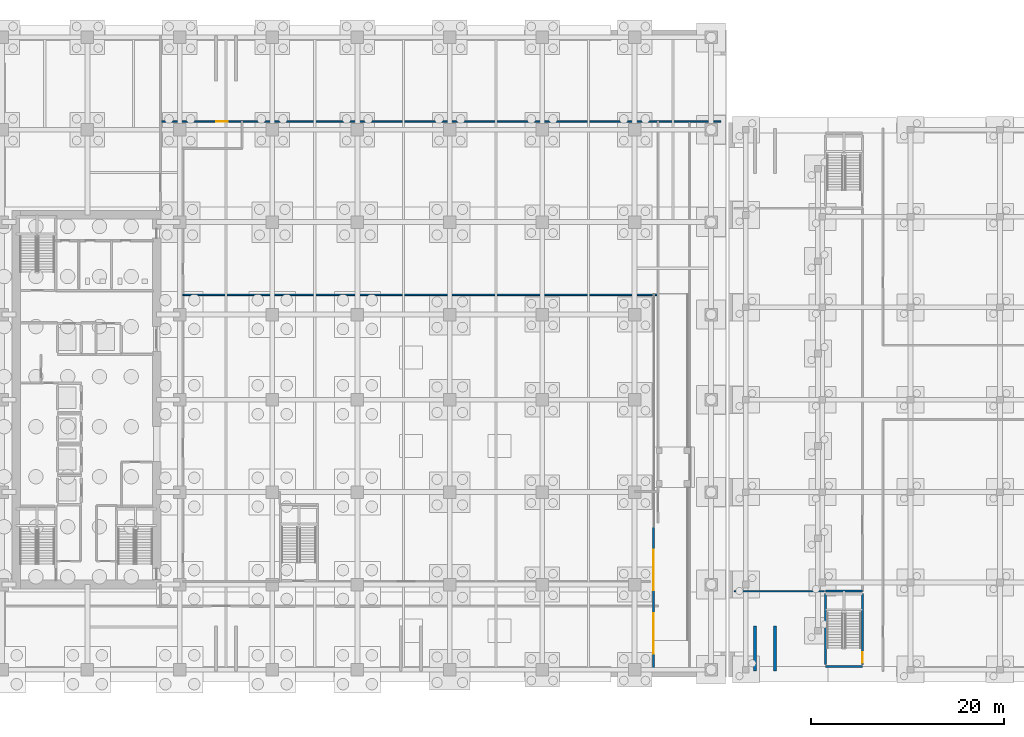
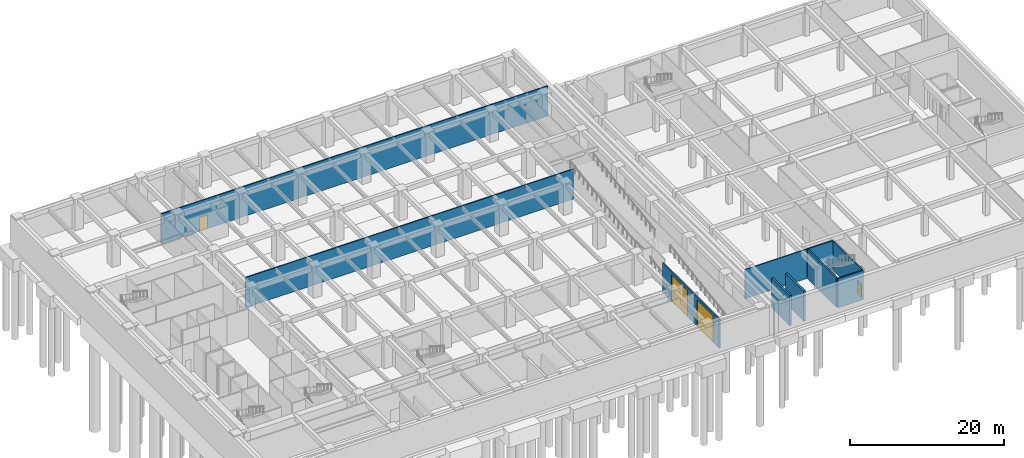
# One storey, part 12 of 20: 10 walls, 4 doors, 4 openings.
"""IFC4 building model written with IfcOpenShell, lengths in metres."""

from ifc_helpers import new_model, si_unit, direction, frame, frame_2d, origin, place, context, subcontext, project, spatial, rectangle, extrude, material, layer, layer_set, type_object, element, fill, save


model = new_model("IFC4")

# Units and contexts
model_context = context("Model", 3, precision=1e-05, world=origin(), true_north=direction((0.0, 1.0)))
body_context = subcontext(model_context, "Body", "Model", "MODEL_VIEW")
ifc_project = project(units=[si_unit("LENGTHUNIT", "METRE"), si_unit("AREAUNIT", "SQUARE_METRE"), si_unit("VOLUMEUNIT", "CUBIC_METRE"), si_unit("PLANEANGLEUNIT", "RADIAN"), si_unit("MASSUNIT", "GRAM", prefix="KILO")], contexts=[model_context])

# Site, building, storey
site_placement = place(None, origin())
site = spatial("IfcSite", under=ifc_project, at=site_placement, CompositionType="ELEMENT")
building_placement = place(site_placement, origin())
building = spatial("IfcBuilding", under=site, at=building_placement, Name="Norrvale University Quadrangle", CompositionType="ELEMENT")
storey_placement = place(building_placement, frame((0.0, 0.0, -5.0)))
storey = spatial("IfcBuildingStorey", under=building, at=storey_placement, Name="B01", CompositionType="ELEMENT", Elevation=-5.0)

# Walls
ifc_material_1 = material(Name="Standard Academic Gypsum Partition")
ifc_layer_1 = layer(ifc_material_1, 0.125, Name="Standard Academic Gypsum Partition")
ifc_layer_set_1 = layer_set([ifc_layer_1], Name="Standard Academic Gypsum Partition")
wall_type_1 = type_object("IfcWallType", Name="Wall Gypsum Academic 125", PredefinedType="PARTITIONING", material=ifc_layer_set_1)
wall_1_placement = place(storey_placement, frame((76.804931640625, 8.89990234375, 0.0), z_axis=(0.0, 0.0, 1.0), x_axis=(1.0, 0.0, 0.0)))
element("IfcWall", 1, at=wall_1_placement, inside=storey, type_object=wall_type_1, Name="Interior Partition WL-B01-LMW-S", PredefinedType="PARTITIONING", context=body_context, shape_type="SweptSolid", body=[
    extrude(rectangle(XDim=9.3701171875, YDim=0.125, at=frame_2d((4.68505859375, 0.0))), origin(), (0.0, 0.0, 1.0), 4.64990234375),
])
ifc_material_2 = material(Name="Fire-Rated Gypsum Stud Partition")
ifc_layer_2 = layer(ifc_material_2, 0.14990234375, Name="Fire-Rated Gypsum Stud Partition")
ifc_layer_set_2 = layer_set([ifc_layer_2], Name="Fire-Rated Gypsum Stud Partition")
wall_type_2 = type_object("IfcWallType", Name="Wall Gypsum Corridor 150", PredefinedType="PARTITIONING", material=ifc_layer_set_2)
wall_2_placement = place(storey_placement, frame((19.52001953125, 39.699951171875, 0.0), z_axis=(0.0, 0.0, 1.0), x_axis=(1.0, 0.0, 0.0)))
element("IfcWall", 2, at=wall_2_placement, inside=storey, type_object=wall_type_2, Name="Interior Partition WL-B01-BK-S", PredefinedType="PARTITIONING", context=body_context, shape_type="SweptSolid", body=[
    extrude(rectangle(XDim=49.3798828125, YDim=0.14990234375, at=frame_2d((24.68994140625, 0.0))), origin(), (0.0, 0.0, 1.0), 4.780029296875),
])

# Wall, opening, door
wall_3_placement = place(storey_placement, frame((17.199951171875, 57.719970703125, 0.0), z_axis=(0.0, 0.0, 1.0), x_axis=(1.0, 0.0, 0.0)))
wall_3 = element("IfcWall", 3, at=wall_3_placement, inside=storey, type_object=wall_type_2, Name="Interior Partition WL-B01-ES-S", PredefinedType="PARTITIONING", context=body_context, shape_type="SweptSolid", body=[
    extrude(rectangle(XDim=58.199951171875, YDim=0.14990234375, at=frame_2d((29.10009765625, 0.0))), origin(), (0.0, 0.0, 1.0), 4.780029296875),
])
opening_1_placement = place(wall_3_placement, frame((5.800048828125, 0.0, 0.0)))
opening_1 = element("IfcOpeningElement", 4, at=opening_1_placement, cuts=wall_3, Name="Opening D05", PredefinedType="OPENING", context=body_context, shape_type="SweptSolid", body=[
    extrude(rectangle(XDim=1.199951171875, YDim=2.199951171875, at=frame_2d((0.60009765625, 1.10009765625))), frame((0.0, 0.0869140625, 0.0), z_axis=(0.0, -1.0, 0.0), x_axis=(1.0, 0.0, 0.0)), (0.0, 0.0, 1.0), 0.173828125),
])
ifc_material_3 = material(Name="Acoustic Oak Classroom Door", Category="wood")
door_type_1 = type_object("IfcDoorType", Name="Door Classroom 1200x2200", OperationType="NOTDEFINED", PredefinedType="DOOR", material=ifc_material_3)
door_1_placement = place(opening_1_placement, origin())
door_1 = element("IfcDoor", 5, at=door_1_placement, inside=storey, type_object=door_type_1, Name="Door Classroom 1200x2200 DR-B01-ESUB", OperationType="SINGLE_SWING_LEFT", OverallHeight=2.199951171875, OverallWidth=1.199951171875, PredefinedType="DOOR", context=body_context, shape_type="SweptSolid", body=[
    extrude(rectangle(XDim=1.199951171875, YDim=2.199951171875, at=frame_2d((0.60009765625, 1.10009765625))), frame((0.0, 0.02490234375, 0.0), z_axis=(0.0, -1.0, 0.0), x_axis=(1.0, 0.0, 0.0)), (0.0, 0.0, 1.0), 0.050048828125),
])
fill(opening_1, door_1)

# Wall, openings, doors
ifc_material_4 = material(Name="Concrete Blockwork 20 MPa Rated Wall", Category="masonry")
ifc_layer_3 = layer(ifc_material_4, 0.199951171875, Name="Concrete Blockwork 20 MPa Rated Wall")
ifc_layer_set_3 = layer_set([ifc_layer_3], Name="Concrete Blockwork 20 MPa Rated Wall")
wall_type_3 = type_object("IfcWallType", Name="Wall Lobby 200", PredefinedType="SOLIDWALL", material=ifc_layer_set_3)
wall_4_placement = place(storey_placement, frame((68.39990234375, 0.800048828125, 0.0), z_axis=(0.0, 0.0, 1.0), x_axis=(0.0, 1.0, 0.0)))
wall_4 = element("IfcWall", 6, at=wall_4_placement, inside=storey, type_object=wall_type_3, Name="Basement Service Loading Portal Wall", PredefinedType="SOLIDWALL", context=body_context, shape_type="SweptSolid", body=[
    extrude(rectangle(XDim=14.800048828125, YDim=0.199951171875, at=frame_2d((7.39990234375, 0.0))), origin(), (0.0, 0.0, 1.0), 4.64990234375),
])
opening_2_placement = place(wall_4_placement, frame((1.60009765625, 0.0, 0.0)))
opening_2 = element("IfcOpeningElement", 7, at=opening_2_placement, cuts=wall_4, Name="Opening DG1", PredefinedType="OPENING", context=body_context, shape_type="SweptSolid", body=[
    extrude(rectangle(XDim=4.199951171875, YDim=4.199951171875, at=frame_2d((2.10009765625, 2.10009765625))), frame((0.0, 0.112060546875, 0.0), z_axis=(0.0, -1.0, 0.0), x_axis=(1.0, 0.0, 0.0)), (0.0, 0.0, 1.0), 0.223876953125),
])
opening_3_placement = place(wall_4_placement, frame((8.199951171875, 0.0, 0.0)))
opening_3 = element("IfcOpeningElement", 8, at=opening_3_placement, cuts=wall_4, Name="Opening DG1", PredefinedType="OPENING", context=body_context, shape_type="SweptSolid", body=[
    extrude(rectangle(XDim=4.199951171875, YDim=4.199951171875, at=frame_2d((2.10009765625, 2.10009765625))), frame((0.0, 0.112060546875, 0.0), z_axis=(0.0, -1.0, 0.0), x_axis=(1.0, 0.0, 0.0)), (0.0, 0.0, 1.0), 0.223876953125),
])
ifc_material_5 = material(Name="Insulated Steel 350W Coiling Gate", Category="steel")
door_type_2 = type_object("IfcDoorType", Name="Door Loading Gate 4200x4200", OperationType="ROLLINGUP", PredefinedType="GATE", material=ifc_material_5)
door_2_placement = place(opening_2_placement, frame((4.199951171875, 0.0, 0.0), z_axis=(0.0, 0.0, 1.0), x_axis=(-1.0, 0.0, 0.0)))
door_2 = element("IfcDoor", 9, at=door_2_placement, inside=storey, type_object=door_type_2, Name="Door Loading Gate 4200x4200 DR-B01-GATE-01", OperationType="ROLLINGUP", OverallHeight=4.199951171875, OverallWidth=4.199951171875, PredefinedType="GATE", context=body_context, shape_type="SweptSolid", body=[
    extrude(rectangle(XDim=4.199951171875, YDim=4.199951171875, at=frame_2d((2.10009765625, 2.10009765625))), frame((0.0, 0.02490234375, 0.0), z_axis=(0.0, -1.0, 0.0), x_axis=(1.0, 0.0, 0.0)), (0.0, 0.0, 1.0), 0.050048828125),
])
fill(opening_2, door_2)
door_3_placement = place(opening_3_placement, frame((4.199951171875, 0.0, 0.0), z_axis=(0.0, 0.0, 1.0), x_axis=(-1.0, 0.0, 0.0)))
door_3 = element("IfcDoor", 10, at=door_3_placement, inside=storey, type_object=door_type_2, Name="Door Loading Gate 4200x4200 DR-B01-GATE-02", OperationType="ROLLINGUP", OverallHeight=4.199951171875, OverallWidth=4.199951171875, PredefinedType="GATE", context=body_context, shape_type="SweptSolid", body=[
    extrude(rectangle(XDim=4.199951171875, YDim=4.199951171875, at=frame_2d((2.10009765625, 2.10009765625))), frame((0.0, 0.02490234375, 0.0), z_axis=(0.0, -1.0, 0.0), x_axis=(1.0, 0.0, 0.0)), (0.0, 0.0, 1.0), 0.050048828125),
])
fill(opening_3, door_3)

# Walls
ifc_material_6 = material(Name="Concrete C50/60", Category="concrete")
ifc_layer_4 = layer(ifc_material_6, 0.300048828125, Name="Concrete C50/60")
ifc_layer_set_4 = layer_set([ifc_layer_4], Name="Concrete C50/60")
wall_type_4 = type_object("IfcWallType", Name="Wall Ramp Cheek 300", PredefinedType="SOLIDWALL", material=ifc_layer_set_4)
for number, where, z_axis, x_axis, name in (
    (11, (78.949951171875, 0.60009765625, 0.0), (0.0, 0.0, 1.0), (0.0, 1.0, 0.0), "Plaza Ramp Foundation Cheek Wall S3-W"),
    (12, (81.050048828125, 0.60009765625, 0.0), (0.0, 0.0, 1.0), (0.0, 1.0, 0.0), "Plaza Ramp Foundation Cheek Wall S3-E"),
):
    element("IfcWall", number, at=place(storey_placement, frame(where, z_axis=z_axis, x_axis=x_axis)), inside=storey, type_object=wall_type_4, Name=name, PredefinedType="SOLIDWALL", context=body_context, shape_type="SweptSolid", body=[
        extrude(rectangle(XDim=4.679931640625, YDim=0.300048828125, at=frame_2d((2.33984375, 0.0))), origin(), (0.0, 0.0, 1.0), 4.780029296875),
    ])
ifc_material_7 = material(Name="Concrete Blockwork 20 MPa Fire Shaft", Category="masonry")
ifc_layer_5 = layer(ifc_material_7, 0.219970703125, Name="Concrete Blockwork 20 MPa Fire Shaft")
ifc_layer_set_5 = layer_set([ifc_layer_5], Name="Concrete Blockwork 20 MPa Fire Shaft")
wall_type_5 = type_object("IfcWallType", Name="Wall Shaft 220", PredefinedType="SOLIDWALL", material=ifc_layer_set_5)
wall_5_placement = place(storey_placement, frame((86.2900390625, 1.31005859375, 0.0), z_axis=(0.0, 0.0, 1.0), x_axis=(0.0, 1.0, 0.0)))
element("IfcWall", 13, at=wall_5_placement, inside=storey, type_object=wall_type_5, Name="Library Stair ST-L2 West Wall B01", PredefinedType="SOLIDWALL", context=body_context, shape_type="SweptSolid", body=[
    extrude(rectangle(XDim=7.3798828125, YDim=0.219970703125, at=frame_2d((3.68994140625, 0.0))), origin(), (0.0, 0.0, 1.0), 4.64990234375),
])
for number, where, z_axis, x_axis, name in (
    (14, (86.2900390625, 1.090087890625, 0.0), (0.0, 0.0, 1.0), (1.0, 0.0, 0.0), "Library Stair ST-L2 South Wall B01"),
    (15, (86.2900390625, 8.909912109375, 0.0), (0.0, 0.0, 1.0), (1.0, 0.0, 0.0), "Library Stair ST-L2 North Wall B01"),
):
    element("IfcWall", number, at=place(storey_placement, frame(where, z_axis=z_axis, x_axis=x_axis)), inside=storey, type_object=wall_type_5, Name=name, PredefinedType="SOLIDWALL", context=body_context, shape_type="SweptSolid", body=[
        extrude(rectangle(XDim=3.820068359375, YDim=0.219970703125, at=frame_2d((1.91015625, 0.0))), origin(), (0.0, 0.0, 1.0), 4.64990234375),
    ])

# Wall, opening, door
wall_6_placement = place(storey_placement, frame((90.110107421875, 1.31005859375, 0.0), z_axis=(0.0, 0.0, 1.0), x_axis=(0.0, 1.0, 0.0)))
wall_6 = element("IfcWall", 16, at=wall_6_placement, inside=storey, type_object=wall_type_5, Name="Library Stair ST-L2 East Wall B01", PredefinedType="SOLIDWALL", context=body_context, shape_type="SweptSolid", body=[
    extrude(rectangle(XDim=7.3798828125, YDim=0.219970703125, at=frame_2d((3.68994140625, 0.0))), origin(), (0.0, 0.0, 1.0), 4.64990234375),
])
opening_4_placement = place(wall_6_placement, frame((0.139892578125, 0.0, 0.0)))
opening_4 = element("IfcOpeningElement", 17, at=opening_4_placement, cuts=wall_6, Name="Opening D02", PredefinedType="OPENING", context=body_context, shape_type="SweptSolid", body=[
    extrude(rectangle(XDim=1.10009765625, YDim=2.199951171875, at=frame_2d((0.550048828125, 1.10009765625))), frame((0.0, 0.1220703125, 0.0), z_axis=(0.0, -1.0, 0.0), x_axis=(1.0, 0.0, 0.0)), (0.0, 0.0, 1.0), 0.243896484375),
])
ifc_material_8 = material(Name="Hollow Steel 350W Fire Door", Category="steel")
door_type_3 = type_object("IfcDoorType", Name="Door Stair Exit 1100x2200", OperationType="NOTDEFINED", PredefinedType="DOOR", material=ifc_material_8)
door_4_placement = place(opening_4_placement, origin())
door_4 = element("IfcDoor", 18, at=door_4_placement, inside=storey, type_object=door_type_3, Name="Door Stair Exit 1100x2200 DR-B01-ST-L2", OperationType="SINGLE_SWING_RIGHT", OverallHeight=2.199951171875, OverallWidth=1.10009765625, PredefinedType="DOOR", context=body_context, shape_type="SweptSolid", body=[
    extrude(rectangle(XDim=1.10009765625, YDim=2.199951171875, at=frame_2d((0.550048828125, 1.10009765625))), frame((0.0, 0.02490234375, 0.0), z_axis=(0.0, -1.0, 0.0), x_axis=(1.0, 0.0, 0.0)), (0.0, 0.0, 1.0), 0.050048828125),
])
fill(opening_4, door_4)

save(model, "model.ifc")
